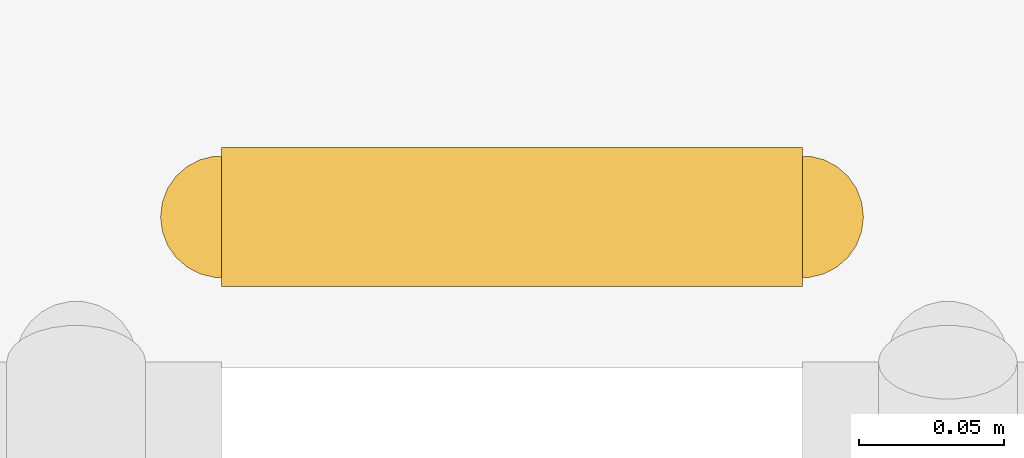
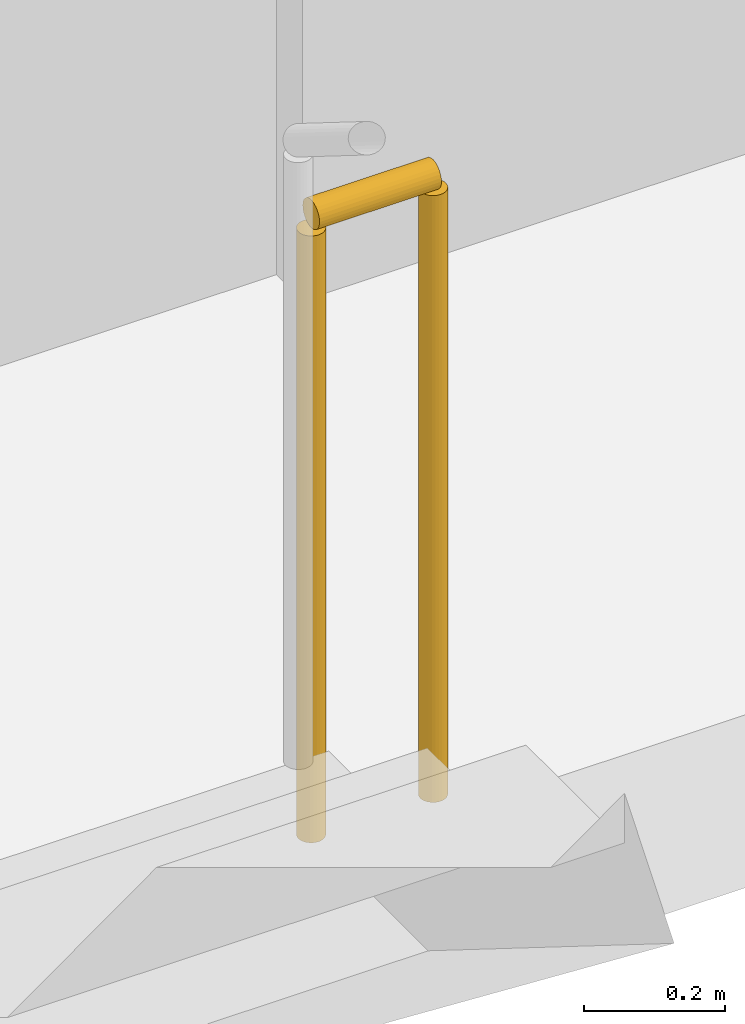
# One storey, part 21 of 21: 1 railing.
"""IFC4 building model written with IfcOpenShell, lengths in metres."""

import ifcopenshell
import ifcopenshell.guid

model = None  # the IFC model being written
_history = None  # IfcOwnerHistory: only IFC2X3 demands one
_inside = {}  # id of a spatial element -> (the spatial element, [elements in it])
_under = {}  # id of a project, library or spatial element -> (it, [spatial elements below it])
_declared = {}  # id of a project -> (the project, [libraries it declares])
_typed = {}  # id of a type object -> (the type object, [elements of that type])
_made_of = {}  # id of a material, layer set ... -> (it, [elements and type objects made of it])


def new_model(schema):
    """Start an empty IFC model of exactly this schema.

    Asked for "IFC4X3", IfcOpenShell would pick the latest addendum, in which some entities
    have other attributes; the version numbers below select the first issue.
    IFC2X3 requires an IfcOwnerHistory on every rooted entity: one is made here for all.
    """
    global model, _history
    if schema == "IFC4X3":
        model = ifcopenshell.file(schema_version=(4, 3, 0, 0))
    else:
        model = ifcopenshell.file(schema=schema)
    _inside.clear()
    _under.clear()
    _declared.clear()
    _typed.clear()
    _made_of.clear()
    _history = None
    if model.schema == "IFC2X3":
        org = make("IfcOrganization", Name="unknown")
        user = make(
            "IfcPersonAndOrganization",
            ThePerson=make("IfcPerson", FamilyName="unknown"),
            TheOrganization=org,
        )
        app = make(
            "IfcApplication",
            ApplicationDeveloper=org,
            Version="unknown",
            ApplicationFullName="unknown",
            ApplicationIdentifier="unknown",
        )
        _history = make(
            "IfcOwnerHistory",
            OwningUser=user,
            OwningApplication=app,
            ChangeAction="ADDED",
            CreationDate=0,
        )
    return model


def make(cls, **values):
    """One entity of the class cls with the attributes given. An attribute that is None is left unset."""
    return model.create_entity(
        cls, **{name: value for name, value in values.items() if value is not None}
    )


def rooted(cls, **values):
    """An entity with a GlobalId (a new one), such as an element, a storey or a relation."""
    return make(cls, GlobalId=ifcopenshell.guid.new(), OwnerHistory=_history, **values)


def si_unit(unit_type, name, prefix=None):
    """IfcSIUnit, for example si_unit("LENGTHUNIT", "METRE", prefix="MILLI")."""
    return make("IfcSIUnit", UnitType=unit_type, Prefix=prefix, Name=name)


def assignment(units):
    """IfcUnitAssignment: the units of a project."""
    return None if units is None else make("IfcUnitAssignment", Units=units)


def point(xyz):
    """IfcCartesianPoint."""
    return None if xyz is None else make("IfcCartesianPoint", Coordinates=xyz)


def direction(xyz):
    """IfcDirection."""
    return None if xyz is None else make("IfcDirection", DirectionRatios=xyz)


def frame(location, z_axis=None, x_axis=None):
    """IfcAxis2Placement3D, a coordinate frame: its origin and axes. An axis left out is left unset."""
    return make(
        "IfcAxis2Placement3D",
        Location=point(location),
        Axis=direction(z_axis),
        RefDirection=direction(x_axis),
    )


def frame_2d(location, x_axis=None):
    """IfcAxis2Placement2D, a coordinate frame in the plane: its origin and x axis."""
    return make(
        "IfcAxis2Placement2D", Location=point(location), RefDirection=direction(x_axis)
    )


def origin():
    """The frame at (0, 0, 0) with its axes left unset."""
    return frame((0.0, 0.0, 0.0))


def origin_2d():
    """The frame at (0, 0) in the plane with its x axis left unset."""
    return frame_2d((0.0, 0.0))


def place(relative_to, where):
    """IfcLocalPlacement: puts the frame where relative to a parent placement (None: the world)."""
    return make(
        "IfcLocalPlacement", PlacementRelTo=relative_to, RelativePlacement=where
    )


def context(
    kind, dimensions, precision=None, world=None, true_north=None, identifier=None
):
    """IfcGeometricRepresentationContext, for example the 3D "Model" context."""
    return make(
        "IfcGeometricRepresentationContext",
        ContextIdentifier=identifier,
        ContextType=kind,
        CoordinateSpaceDimension=dimensions,
        Precision=precision,
        WorldCoordinateSystem=world,
        TrueNorth=true_north,
    )


def subcontext(parent, identifier, kind, view, scale=None):
    """IfcGeometricRepresentationSubContext, for example "Body" below "Model"."""
    return make(
        "IfcGeometricRepresentationSubContext",
        ContextIdentifier=identifier,
        ContextType=kind,
        ParentContext=parent,
        TargetScale=scale,
        TargetView=view,
    )


def project(units=None, contexts=None):
    """IfcProject with its units and contexts."""
    return rooted(
        "IfcProject",
        Name="project",
        RepresentationContexts=contexts,
        UnitsInContext=assignment(units),
    )


def spatial(cls, under=None, at=None, **own):
    """A site, building, storey or space (cls), placed at a placement, below another one or the project."""
    s = rooted(cls, ObjectPlacement=at, **own)
    if under is not None:
        _under.setdefault(under.id(), (under, []))[1].append(s)
    return s


def profile(cls, at=None, kind="AREA", **sizes):
    """A parametric profile (cls). Its sizes go by their IFC names, for example OverallWidth=200.0."""
    return make(cls, ProfileType=kind, Position=at, **sizes)


def circle(**sizes):
    """IfcCircleProfileDef."""
    return profile("IfcCircleProfileDef", **sizes)


def extrude(swept, where, along, depth):
    """IfcExtrudedAreaSolid: the profile swept, set in the frame where, extruded along a direction by depth."""
    return make(
        "IfcExtrudedAreaSolid",
        SweptArea=swept,
        Position=where,
        ExtrudedDirection=direction(along),
        Depth=depth,
    )


def shape(context_of_items, identifier, shape_type, items):
    """IfcShapeRepresentation: the items that make up one representation, for example the "Body"."""
    return make(
        "IfcShapeRepresentation",
        ContextOfItems=context_of_items,
        RepresentationIdentifier=identifier,
        RepresentationType=shape_type,
        Items=items,
    )


def material(Name=None, Category=None):
    """IfcMaterial."""
    return make("IfcMaterial", Name=Name, Category=Category)


def made_of(thing, what):
    """Note that an element or type object is made of a material, layer set ...; save() writes the relation."""
    if what is not None:
        _made_of.setdefault(what.id(), (what, []))[1].append(thing)
    return thing


def type_object(cls, material=None, **own):
    """A type object (cls), such as IfcWallType, which elements share."""
    return made_of(rooted(cls, **own), material)


def element(
    cls,
    number,
    at=None,
    inside=None,
    cuts=None,
    type_object=None,
    material=None,
    context=None,
    identifier="Body",
    shape_type=None,
    held_by="IfcProductDefinitionShape",
    body=None,
    shapes=None,
    **own,
):
    """One element of the class cls, such as IfcWall. Its Tag is "e" and its number.

    at: its placement. inside: the storey or other place that contains it. cuts: it is an
    opening in that element (IfcRelVoidsElement). A single representation is given by context,
    identifier, shape_type and body (its items); several are given by shapes. held_by: the class
    of the entity that holds the representations. save() writes the other relations.
    """
    e = rooted(cls, Tag="e%d" % number, ObjectPlacement=at, **own)
    if body is not None:
        shapes = [shape(context, identifier, shape_type, body)]
    if shapes is not None:
        e.Representation = make(held_by, Representations=shapes)
    if inside is not None:
        _inside.setdefault(inside.id(), (inside, []))[1].append(e)
    if cuts is not None:
        rooted(
            "IfcRelVoidsElement", RelatingBuildingElement=cuts, RelatedOpeningElement=e
        )
    if type_object is not None:
        _typed.setdefault(type_object.id(), (type_object, []))[1].append(e)
    return made_of(e, material)


def aggregate(whole, parts):
    """IfcRelAggregates: a whole, such as a stair, and the parts it consists of."""
    return rooted("IfcRelAggregates", RelatingObject=whole, RelatedObjects=parts)


def save(model, path):
    """Write the relations noted so far, then the file.

    IfcRelAggregates (storeys below a building ...), IfcRelContainedInSpatialStructure (elements
    in a storey), IfcRelDefinesByType, IfcRelAssociatesMaterial and IfcRelDeclares: one each for
    every whole, place, type object, material and project.
    """
    for whole, parts in _under.values():
        aggregate(whole, parts)
    for where, things in _inside.values():
        rooted(
            "IfcRelContainedInSpatialStructure",
            RelatedElements=things,
            RelatingStructure=where,
        )
    for kind, things in _typed.values():
        rooted("IfcRelDefinesByType", RelatedObjects=things, RelatingType=kind)
    for what, things in _made_of.values():
        rooted("IfcRelAssociatesMaterial", RelatedObjects=things, RelatingMaterial=what)
    for by, libraries in _declared.values():
        rooted("IfcRelDeclares", RelatingContext=by, RelatedDefinitions=libraries)
    model.write(path)


model = new_model("IFC4")

# Units and contexts
model_context = context("Model", 3, precision=1e-05, world=origin(), true_north=direction((0.0, 1.0)))
body_context = subcontext(model_context, "Body", "Model", "MODEL_VIEW")
ifc_project = project(units=[si_unit("LENGTHUNIT", "METRE"), si_unit("AREAUNIT", "SQUARE_METRE"), si_unit("VOLUMEUNIT", "CUBIC_METRE"), si_unit("PLANEANGLEUNIT", "RADIAN"), si_unit("MASSUNIT", "GRAM", prefix="KILO")], contexts=[model_context])

# Site, building, storey
site_placement = place(None, origin())
site = spatial("IfcSite", under=ifc_project, at=site_placement, CompositionType="ELEMENT")
building_placement = place(site_placement, origin())
building = spatial("IfcBuilding", under=site, at=building_placement, Name="Kiln Ring Residences", CompositionType="ELEMENT")
storey_placement = place(building_placement, frame((0.0, 0.0, 216.89990234375)))
storey = spatial("IfcBuildingStorey", under=building, at=storey_placement, Name="L56", CompositionType="ELEMENT", Elevation=216.89990234375)

# Railing
ifc_material = material(Name="Stainless steel", Category="steel")
railing_type = type_object("IfcRailingType", Name="CORE-STAIR-GUARD", PredefinedType="GUARDRAIL", material=ifc_material)
railing_placement = place(storey_placement, frame((22.0, 8.449951171875, 0.0)))
element("IfcRailing", 1, at=railing_placement, inside=storey, type_object=railing_type, Name="L56 E-STN stair guard 4", PredefinedType="GUARDRAIL", context=body_context, shape_type="SweptSolid", body=[
    extrude(circle(Radius=0.02392578125, at=origin_2d()), frame((0.0, 0.0, 1.076171875), z_axis=(1.0, 0.0, 0.0), x_axis=(0.0, 1.0, 0.0)), (0.0, 0.0, 1.0), 0.199951171875),
    extrude(circle(Radius=0.02099609375, at=origin_2d()), origin(), (0.0, 0.0, 1.0), 1.052001953125),
    extrude(circle(Radius=0.02099609375, at=origin_2d()), frame((0.199951171875, 0.0, 0.0)), (0.0, 0.0, 1.0), 1.052001953125),
])

save(model, "model.ifc")
